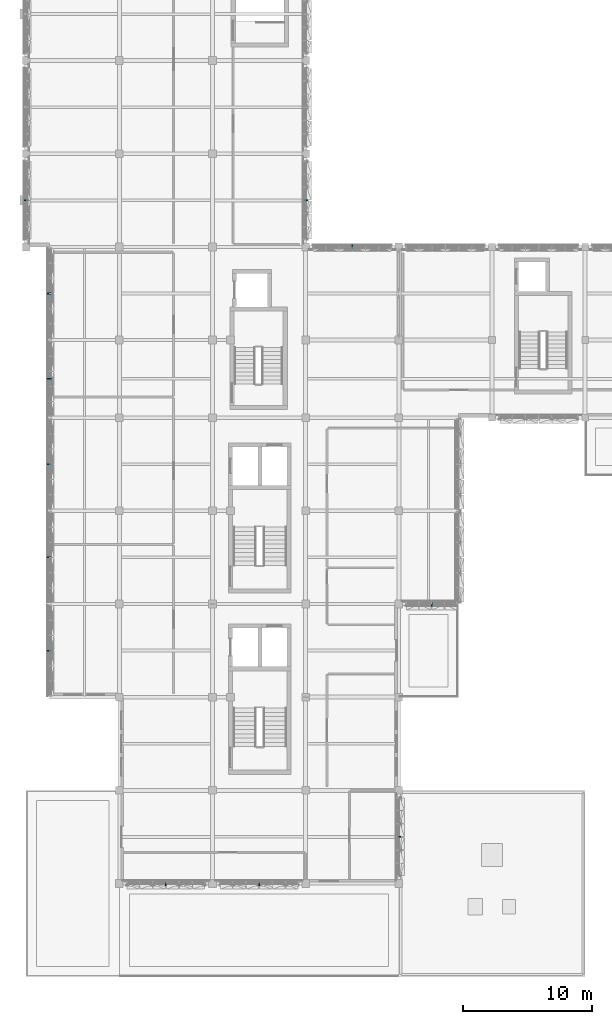
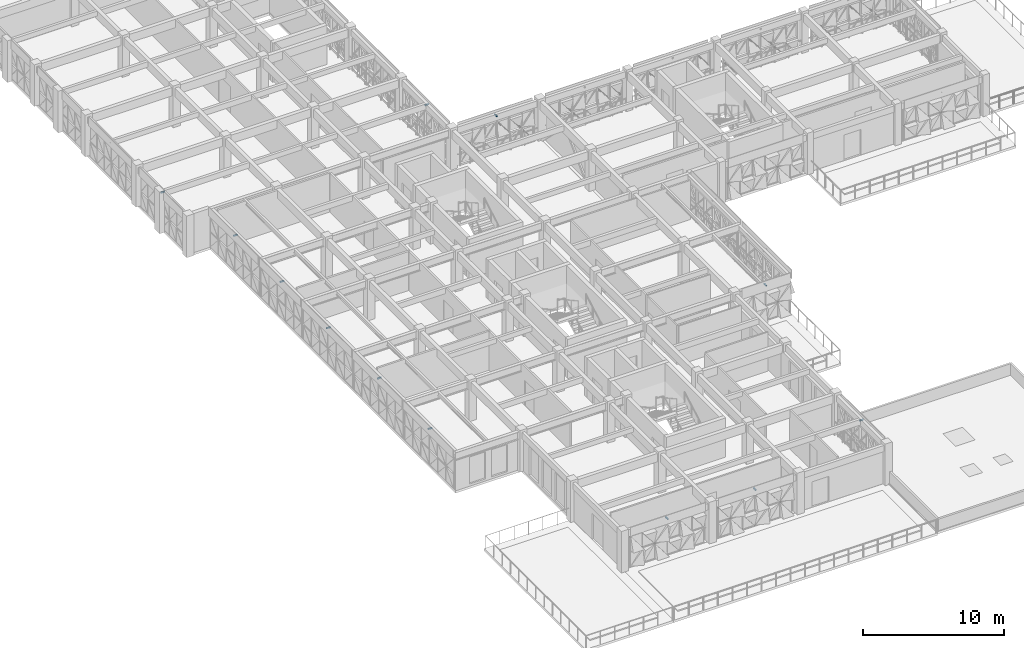
# One storey, part 52 of 74: 12 discrete accessories.
"""IFC4 building model written with IfcOpenShell, lengths in metres."""

from ifc_helpers import new_model, si_unit, direction, frame, origin, origin_2d, place, context, subcontext, project, spatial, rectangle, extrude, material, type_object, element, save


model = new_model("IFC4")

# Units and contexts
model_context = context("Model", 3, precision=1e-05, world=origin(), true_north=direction((0.0, 1.0)))
body_context = subcontext(model_context, "Body", "Model", "MODEL_VIEW")
ifc_project = project(units=[si_unit("LENGTHUNIT", "METRE"), si_unit("AREAUNIT", "SQUARE_METRE"), si_unit("VOLUMEUNIT", "CUBIC_METRE"), si_unit("PLANEANGLEUNIT", "RADIAN"), si_unit("MASSUNIT", "GRAM", prefix="KILO")], contexts=[model_context])

# Site, building, storey
site_placement = place(None, origin())
site = spatial("IfcSite", under=ifc_project, at=site_placement, CompositionType="ELEMENT")
building_placement = place(site_placement, origin())
building = spatial("IfcBuilding", under=site, at=building_placement, Name="Alvorim Cloister Faculty of Sciences", CompositionType="ELEMENT")
storey_placement = place(building_placement, frame((0.0, 0.0, 15.75)))
storey = spatial("IfcBuildingStorey", under=building, at=storey_placement, Name="L04", CompositionType="ELEMENT", Elevation=15.75)

# Discrete accessories
ifc_material = material(Name="Aluminium Alloy 6063-T6", Category="aluminium")
discrete_accessory_type = type_object("IfcDiscreteAccessoryType", Name="ACC-DIAG-BAR", PredefinedType="BRACKET", material=ifc_material)
for number, where, z_axis, x_axis, name in (
    (1, (1.93994140625, 25.199951171875, 3.228515625), (-1.0, 0.0, 0.0), (0.0, -1.0, 0.0), "Slab-Edge Fascia Tie Bracket ACC-01765"),
    (2, (1.93994140625, 32.39990234375, 3.228515625), (-1.0, 0.0, 0.0), (0.0, -1.0, 0.0), "Slab-Edge Fascia Tie Bracket ACC-01778"),
    (3, (1.93994140625, 39.60009765625, 3.228515625), (-1.0, 0.0, 0.0), (0.0, -1.0, 0.0), "Slab-Edge Fascia Tie Bracket ACC-01791"),
    (4, (1.93994140625, 46.199951171875, 3.228515625), (-1.0, 0.0, 0.0), (0.0, -1.0, 0.0), "Slab-Edge Fascia Tie Bracket ACC-01802"),
    (5, (1.93994140625, 52.800048828125, 3.228515625), (-1.0, 0.0, 0.0), (0.0, -1.0, 0.0), "Slab-Edge Fascia Tie Bracket ACC-01815"),
):
    element("IfcDiscreteAccessory", number, at=place(storey_placement, frame(where, z_axis=z_axis, x_axis=x_axis)), inside=storey, type_object=discrete_accessory_type, Name=name, PredefinedType="BRACKET", context=body_context, shape_type="SweptSolid", body=[
        extrude(rectangle(XDim=0.080078125, YDim=0.080078125, at=origin_2d()), origin(), (0.0, 0.0, 1.0), 0.300048828125),
    ])
discrete_accessory_placement = place(storey_placement, frame((0.139892578125, 60.0, 3.22509765625), z_axis=(-1.0, 0.0, 0.0), x_axis=(0.0, -1.0, 0.0)))
element("IfcDiscreteAccessory", 6, at=discrete_accessory_placement, inside=storey, type_object=discrete_accessory_type, Name="Slab-Edge Fascia Tie Bracket ACC-01828", PredefinedType="BRACKET", context=body_context, shape_type="SweptSolid", body=[
    extrude(rectangle(XDim=0.080078125, YDim=0.080078125, at=origin_2d()), origin(), (0.0, 0.0, 1.0), 0.2998046875),
])
for number, where, z_axis, x_axis, name in (
    (7, (21.4599609375, 60.0, 3.22509765625), (1.0, 0.0, 0.0), (0.0, 1.0, 0.0), "Slab-Edge Fascia Tie Bracket ACC-02050"),
    (8, (25.199951171875, 56.260009765625, 3.22509765625), (0.0, 1.0, 0.0), (-1.0, 0.0, 0.0), "Slab-Edge Fascia Tie Bracket ACC-02063"),
    (9, (31.330078125, 28.93994140625, 3.153076171875), (0.0, -1.0, 0.0), (1.0, 0.0, 0.0), "Slab-Edge Fascia Tie Bracket ACC-02189"),
    (10, (28.659912109375, 10.800048828125, 3.22509765625), (1.0, 0.0, 0.0), (0.0, 1.0, 0.0), "Slab-Edge Fascia Tie Bracket ACC-02202"),
    (11, (18.0, 7.340087890625, 3.22509765625), (0.0, -1.0, 0.0), (1.0, 0.0, 0.0), "Slab-Edge Fascia Tie Bracket ACC-02215"),
    (12, (10.800048828125, 7.340087890625, 3.22509765625), (0.0, -1.0, 0.0), (1.0, 0.0, 0.0), "Slab-Edge Fascia Tie Bracket ACC-02228"),
):
    element("IfcDiscreteAccessory", number, at=place(storey_placement, frame(where, z_axis=z_axis, x_axis=x_axis)), inside=storey, type_object=discrete_accessory_type, Name=name, PredefinedType="BRACKET", context=body_context, shape_type="SweptSolid", body=[
        extrude(rectangle(XDim=0.080078125, YDim=0.080078125, at=origin_2d()), origin(), (0.0, 0.0, 1.0), 0.300048828125),
    ])

save(model, "model.ifc")
